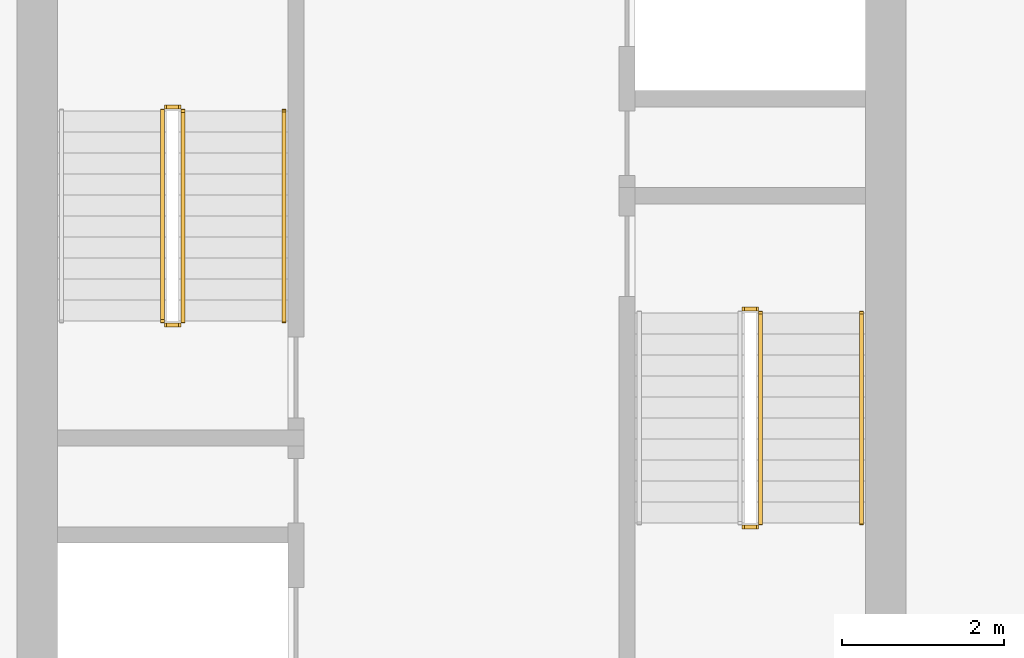
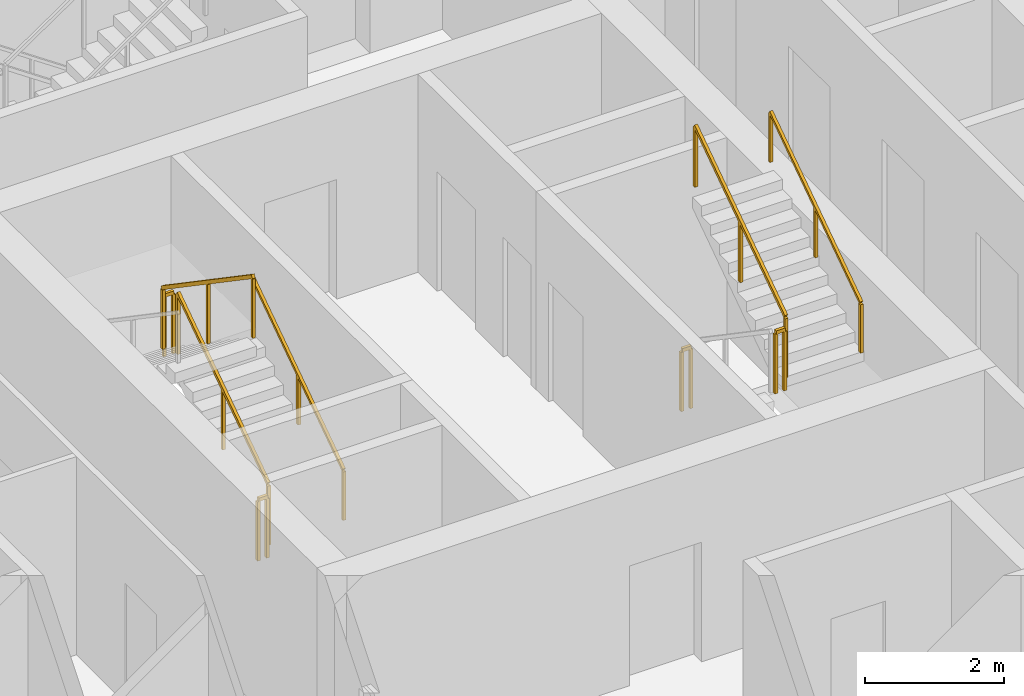
# One storey, part 13 of 16: 9 railings.
"""IFC4 building model written with IfcOpenShell, lengths in metres."""

from ifc_helpers import new_model, si_unit, direction, frame, origin, origin_2d, place, context, subcontext, project, spatial, rectangle, extrude, material, type_object, element, save


model = new_model("IFC4")

# Units and contexts
model_context = context("Model", 3, precision=1e-05, world=origin(), true_north=direction((0.0, 1.0)))
body_context = subcontext(model_context, "Body", "Model", "MODEL_VIEW")
ifc_project = project(units=[si_unit("LENGTHUNIT", "METRE"), si_unit("AREAUNIT", "SQUARE_METRE"), si_unit("VOLUMEUNIT", "CUBIC_METRE"), si_unit("PLANEANGLEUNIT", "RADIAN"), si_unit("MASSUNIT", "GRAM", prefix="KILO")], contexts=[model_context])

# Site, building, storey
site_placement = place(None, origin())
site = spatial("IfcSite", under=ifc_project, at=site_placement, CompositionType="ELEMENT")
building_placement = place(site_placement, origin())
building = spatial("IfcBuilding", under=site, at=building_placement, Name="Khepri Terraces", CompositionType="ELEMENT")
storey_placement = place(building_placement, frame((0.0, 0.0, 157.199951171875)))
storey = spatial("IfcBuildingStorey", under=building, at=storey_placement, Name="L37", CompositionType="ELEMENT", Elevation=157.199951171875)

# Railings
ifc_material = material(Name="Stainless steel 316", Category="steel")
railing_type_1 = type_object("IfcRailingType", Name="RL-CORE-GUARD", PredefinedType="GUARDRAIL", material=ifc_material)
railing_1_placement = place(storey_placement, frame((-3.449951171875, -0.050048828125, 0.17724609375)))
element("IfcRailing", 1, at=railing_1_placement, inside=storey, type_object=railing_type_1, Name="L37 ST-1 stair guard 1", PredefinedType="GUARDRAIL", context=body_context, shape_type="SweptSolid", body=[
    extrude(rectangle(XDim=0.050048828125, YDim=0.06005859375, at=origin_2d()), frame((0.0, 0.0, 1.070068359375), z_axis=(0.0, 0.826240473404, 0.563317565952), x_axis=(-1.0, 0.0, 0.0)), (0.0, 0.0, 1.0), 3.14697265625),
    extrude(rectangle(XDim=0.050048828125, YDim=0.050048828125, at=origin_2d()), origin(), (0.0, 0.0, 1.0), 1.0400390625),
    extrude(rectangle(XDim=0.050048828125, YDim=0.050048828125, at=origin_2d()), frame((0.0, 1.300048828125, 0.88623046875)), (0.0, 0.0, 1.0), 1.0400390625),
    extrude(rectangle(XDim=0.050048828125, YDim=0.050048828125, at=origin_2d()), frame((0.0, 2.60009765625, 1.772705078125)), (0.0, 0.0, 1.0), 1.0400390625),
])
railing_2_placement = place(storey_placement, frame((-3.5, 2.60009765625, 1.949951171875)))
element("IfcRailing", 2, at=railing_2_placement, inside=storey, type_object=railing_type_1, Name="L37 ST-1 stair guard 2", PredefinedType="GUARDRAIL", context=body_context, shape_type="SweptSolid", body=[
    extrude(rectangle(XDim=0.050048828125, YDim=0.06005859375, at=origin_2d()), frame((0.0, 0.0, 1.070068359375), z_axis=(-1.0, 0.0, 0.0), x_axis=(0.0, -1.0, 0.0)), (0.0, 0.0, 1.0), 0.14990234375),
    extrude(rectangle(XDim=0.050048828125, YDim=0.050048828125, at=origin_2d()), origin(), (0.0, 0.0, 1.0), 1.0400390625),
    extrude(rectangle(XDim=0.050048828125, YDim=0.050048828125, at=origin_2d()), frame((-0.14990234375, 0.0, 0.0)), (0.0, 0.0, 1.0), 1.0400390625),
])
railing_3_placement = place(storey_placement, frame((-3.699951171875, 2.550048828125, 2.12744140625)))
element("IfcRailing", 3, at=railing_3_placement, inside=storey, type_object=railing_type_1, Name="L37 ST-1 stair guard 3", PredefinedType="GUARDRAIL", context=body_context, shape_type="SweptSolid", body=[
    extrude(rectangle(XDim=0.050048828125, YDim=0.06005859375, at=origin_2d()), frame((0.0, 0.0, 1.070068359375), z_axis=(0.0, -0.826240473404, 0.563317565952), x_axis=(1.0, 0.0, 0.0)), (0.0, 0.0, 1.0), 3.14697265625),
    extrude(rectangle(XDim=0.050048828125, YDim=0.050048828125, at=origin_2d()), origin(), (0.0, 0.0, 1.0), 1.0400390625),
    extrude(rectangle(XDim=0.050048828125, YDim=0.050048828125, at=origin_2d()), frame((0.0, -1.300048828125, 0.88623046875)), (0.0, 0.0, 1.0), 1.0400390625),
    extrude(rectangle(XDim=0.050048828125, YDim=0.050048828125, at=origin_2d()), frame((0.0, -2.60009765625, 1.772705078125)), (0.0, 0.0, 1.0), 1.0400390625),
])
railing_4_placement = place(storey_placement, frame((-3.5, -0.10009765625, 0.0)))
element("IfcRailing", 4, at=railing_4_placement, inside=storey, type_object=railing_type_1, Name="L37 ST-1 stair guard 4", PredefinedType="GUARDRAIL", context=body_context, shape_type="SweptSolid", body=[
    extrude(rectangle(XDim=0.050048828125, YDim=0.06005859375, at=origin_2d()), frame((0.0, 0.0, 1.070068359375), z_axis=(-1.0, 0.0, 0.0), x_axis=(0.0, -1.0, 0.0)), (0.0, 0.0, 1.0), 0.14990234375),
    extrude(rectangle(XDim=0.050048828125, YDim=0.050048828125, at=origin_2d()), origin(), (0.0, 0.0, 1.0), 1.0400390625),
    extrude(rectangle(XDim=0.050048828125, YDim=0.050048828125, at=origin_2d()), frame((-0.14990234375, 0.0, 0.0)), (0.0, 0.0, 1.0), 1.0400390625),
])
railing_5_placement = place(storey_placement, frame((3.5, -2.60009765625, 1.949951171875)))
element("IfcRailing", 5, at=railing_5_placement, inside=storey, type_object=railing_type_1, Name="L37 ST-2 stair guard 2", PredefinedType="GUARDRAIL", context=body_context, shape_type="SweptSolid", body=[
    extrude(rectangle(XDim=0.050048828125, YDim=0.06005859375, at=origin_2d()), frame((0.0, 0.0, 1.070068359375), z_axis=(1.0, 0.0, 0.0), x_axis=(0.0, 1.0, 0.0)), (0.0, 0.0, 1.0), 0.14990234375),
    extrude(rectangle(XDim=0.050048828125, YDim=0.050048828125, at=origin_2d()), origin(), (0.0, 0.0, 1.0), 1.0400390625),
    extrude(rectangle(XDim=0.050048828125, YDim=0.050048828125, at=origin_2d()), frame((0.14990234375, 0.0, 0.0)), (0.0, 0.0, 1.0), 1.0400390625),
])
railing_6_placement = place(storey_placement, frame((3.699951171875, -2.550048828125, 2.12744140625)))
element("IfcRailing", 6, at=railing_6_placement, inside=storey, type_object=railing_type_1, Name="L37 ST-2 stair guard 3", PredefinedType="GUARDRAIL", context=body_context, shape_type="SweptSolid", body=[
    extrude(rectangle(XDim=0.050048828125, YDim=0.06005859375, at=origin_2d()), frame((0.0, 0.0, 1.070068359375), z_axis=(0.0, 0.826240473404, 0.563317565952), x_axis=(-1.0, 0.0, 0.0)), (0.0, 0.0, 1.0), 3.14697265625),
    extrude(rectangle(XDim=0.050048828125, YDim=0.050048828125, at=origin_2d()), origin(), (0.0, 0.0, 1.0), 1.0400390625),
    extrude(rectangle(XDim=0.050048828125, YDim=0.050048828125, at=origin_2d()), frame((0.0, 1.300048828125, 0.88623046875)), (0.0, 0.0, 1.0), 1.0400390625),
    extrude(rectangle(XDim=0.050048828125, YDim=0.050048828125, at=origin_2d()), frame((0.0, 2.60009765625, 1.772705078125)), (0.0, 0.0, 1.0), 1.0400390625),
])
railing_7_placement = place(storey_placement, frame((3.5, 0.10009765625, 0.0)))
element("IfcRailing", 7, at=railing_7_placement, inside=storey, type_object=railing_type_1, Name="L37 ST-2 stair guard 4", PredefinedType="GUARDRAIL", context=body_context, shape_type="SweptSolid", body=[
    extrude(rectangle(XDim=0.050048828125, YDim=0.06005859375, at=origin_2d()), frame((0.0, 0.0, 1.070068359375), z_axis=(1.0, 0.0, 0.0), x_axis=(0.0, 1.0, 0.0)), (0.0, 0.0, 1.0), 0.14990234375),
    extrude(rectangle(XDim=0.050048828125, YDim=0.050048828125, at=origin_2d()), origin(), (0.0, 0.0, 1.0), 1.0400390625),
    extrude(rectangle(XDim=0.050048828125, YDim=0.050048828125, at=origin_2d()), frame((0.14990234375, 0.0, 0.0)), (0.0, 0.0, 1.0), 1.0400390625),
])
railing_type_2 = type_object("IfcRailingType", Name="RL-CORE-HANDRAIL", PredefinedType="HANDRAIL", material=ifc_material)
for number, where, name in (
    (8, (-2.199951171875, -0.050048828125, 0.17724609375), "L37 ST-1 stair handrail 1"),
    (9, (4.949951171875, -2.550048828125, 2.12744140625), "L37 ST-2 stair handrail 2"),
):
    element("IfcRailing", number, at=place(storey_placement, frame(where)), inside=storey, type_object=railing_type_2, Name=name, PredefinedType="HANDRAIL", context=body_context, shape_type="SweptSolid", body=[
        extrude(rectangle(XDim=0.050048828125, YDim=0.050048828125, at=origin_2d()), frame((0.0, 0.0, 0.875), z_axis=(0.0, 0.826240473404, 0.563317565952), x_axis=(-1.0, 0.0, 0.0)), (0.0, 0.0, 1.0), 3.14697265625),
        extrude(rectangle(XDim=0.050048828125, YDim=0.050048828125, at=origin_2d()), origin(), (0.0, 0.0, 1.0), 0.849853515625),
        extrude(rectangle(XDim=0.050048828125, YDim=0.050048828125, at=origin_2d()), frame((0.0, 1.300048828125, 0.88623046875)), (0.0, 0.0, 1.0), 0.849853515625),
        extrude(rectangle(XDim=0.050048828125, YDim=0.050048828125, at=origin_2d()), frame((0.0, 2.60009765625, 1.772705078125)), (0.0, 0.0, 1.0), 0.849853515625),
    ])

save(model, "model.ifc")
